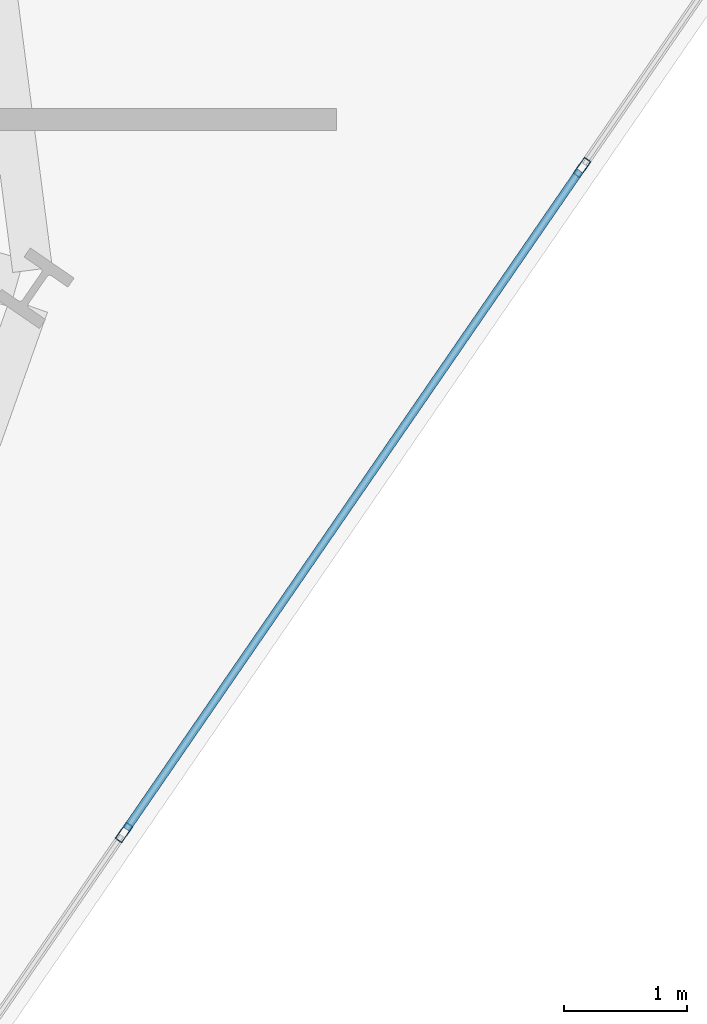
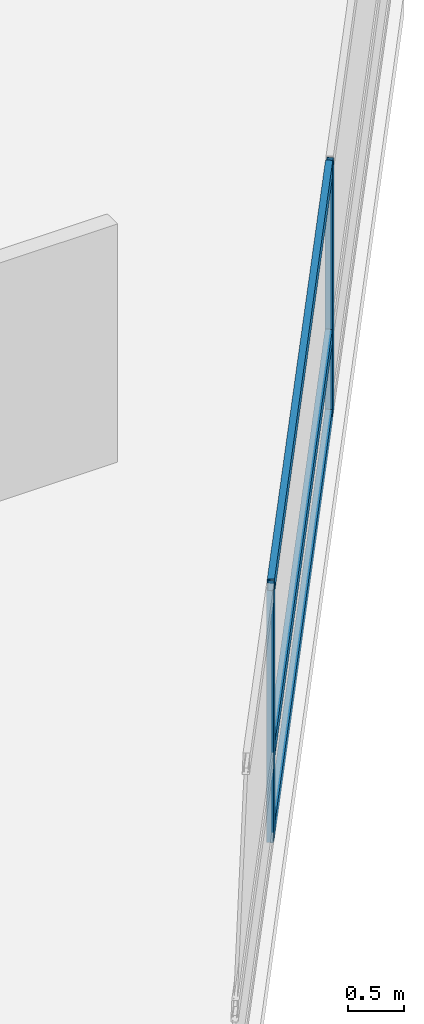
# One storey, part 9 of 25: 5 members, 1 element without a shape of its own.
"""IFC4 building model written with IfcOpenShell, lengths in metres."""

from ifc_helpers import new_model, si_unit, direction, frame, origin, origin_2d, place, context, subcontext, project, spatial, hollow_rectangle, extrude, material, layer, layer_set, material_profile, profile_set, type_object, element, aggregate, save


model = new_model("IFC4")

# Units and contexts
model_context = context("Model", 3, precision=1e-05, world=origin(), true_north=direction((0.0, 1.0)))
body_context = subcontext(model_context, "Body", "Model", "MODEL_VIEW")
ifc_project = project(units=[si_unit("LENGTHUNIT", "METRE"), si_unit("AREAUNIT", "SQUARE_METRE"), si_unit("VOLUMEUNIT", "CUBIC_METRE"), si_unit("PLANEANGLEUNIT", "RADIAN"), si_unit("MASSUNIT", "GRAM", prefix="KILO")], contexts=[model_context])

# Site, building, storey
site_placement = place(None, origin())
site = spatial("IfcSite", under=ifc_project, at=site_placement, CompositionType="ELEMENT")
building_placement = place(site_placement, origin())
building = spatial("IfcBuilding", under=site, at=building_placement, Name="Varnelok Gate Tower", CompositionType="ELEMENT")
storey_placement = place(building_placement, frame((0.0, 0.0, 64.0)))
storey = spatial("IfcBuildingStorey", under=building, at=storey_placement, Name="L15", CompositionType="ELEMENT", Elevation=64.0)

# Curtain wall, members
ifc_material = material(Name="Anodized Aluminum Alloy 6063-T6", Category="aluminium")
ifc_layer = layer(ifc_material, 0.179931640625)
ifc_layer_set = layer_set([ifc_layer], Name="Anodized Aluminum Alloy 6063-T6")
curtain_wall_type = type_object("IfcCurtainWallType", Name="CW3-HOTEL-VISION", PredefinedType="USERDEFINED", material=ifc_layer_set)
curtain_wall_placement = place(storey_placement, origin())
curtain_wall = element("IfcCurtainWall", 1, at=curtain_wall_placement, inside=storey, type_object=curtain_wall_type, Name="L15 East End Vision Curtain Wall", ObjectType="UNITISED CURTAIN WALL", PredefinedType="USERDEFINED")
ifc_material_profile_1 = material_profile(ifc_material, hollow_rectangle(XDim=0.06494140625, YDim=0.159912109375, WallThickness=0.00390625, at=origin_2d()), Name="ALU160X65X4")
ifc_profile_set_1 = profile_set([ifc_material_profile_1], Name="Anodized Aluminum Alloy 6063-T6")
member_type_1 = type_object("IfcMemberType", Name="CW-MULL-160", PredefinedType="MULLION", material=ifc_profile_set_1)
member_1_placement = place(storey_placement, frame((78.8173828125, 13.958251953125, 0.0), z_axis=(0.0, 0.0, 1.0), x_axis=(0.823532685111, -0.567268822124, 0.0)))
member_1 = element("IfcMember", 2, at=member_1_placement, type_object=member_type_1, Name="CW3 mullion 2", PredefinedType="MULLION", context=body_context, shape_type="SweptSolid", body=[
    extrude(hollow_rectangle(XDim=0.06494140625, YDim=0.159912109375, WallThickness=0.00390625, at=origin_2d()), origin(), (0.0, 0.0, 1.0), 2.72998046875),
])
member_2_placement = place(storey_placement, frame((75.09228515625, 8.55029296875, 0.0), z_axis=(0.0, 0.0, 1.0), x_axis=(0.823532685111, -0.567268822124, 0.0)))
member_2 = element("IfcMember", 3, at=member_2_placement, type_object=member_type_1, Name="CW3 mullion 3", PredefinedType="MULLION", context=body_context, shape_type="SweptSolid", body=[
    extrude(hollow_rectangle(XDim=0.06494140625, YDim=0.159912109375, WallThickness=0.00390625, at=origin_2d()), origin(), (0.0, 0.0, 1.0), 2.72998046875),
])
ifc_material_profile_2 = material_profile(ifc_material, hollow_rectangle(XDim=0.06494140625, YDim=0.159912109375, WallThickness=0.00390625, at=origin_2d()), Name="ALU160X65X4")
ifc_profile_set_2 = profile_set([ifc_material_profile_2], Name="Anodized Aluminum Alloy 6063-T6")
member_type_2 = type_object("IfcMemberType", Name="CW-TRAN-160", PredefinedType="USERDEFINED", material=ifc_profile_set_2)
member_3_placement = place(storey_placement, frame((78.798828125, 13.931396484375, 0.032470703125), z_axis=(-0.567279204469, -0.823525533409, 0.0), x_axis=(0.823525533409, -0.567279204469, 0.0)))
member_3 = element("IfcMember", 4, at=member_3_placement, type_object=member_type_2, Name="CW3 transom 2.1", ObjectType="TRANSOM", PredefinedType="USERDEFINED", context=body_context, shape_type="SweptSolid", body=[
    extrude(hollow_rectangle(XDim=0.06494140625, YDim=0.159912109375, WallThickness=0.00390625, at=origin_2d()), origin(), (0.0, 0.0, 1.0), 6.501708984375),
])
member_4_placement = place(storey_placement, frame((78.798828125, 13.931396484375, 0.89990234375), z_axis=(-0.567279204469, -0.823525533409, 0.0), x_axis=(0.823525533409, -0.567279204469, 0.0)))
member_4 = element("IfcMember", 5, at=member_4_placement, type_object=member_type_2, Name="CW3 transom 2.2", ObjectType="TRANSOM", PredefinedType="USERDEFINED", context=body_context, shape_type="SweptSolid", body=[
    extrude(hollow_rectangle(XDim=0.06494140625, YDim=0.159912109375, WallThickness=0.00390625, at=origin_2d()), origin(), (0.0, 0.0, 1.0), 6.501708984375),
])
member_5_placement = place(storey_placement, frame((78.798828125, 13.931396484375, 2.697509765625), z_axis=(-0.567279204469, -0.823525533409, 0.0), x_axis=(0.823525533409, -0.567279204469, 0.0)))
member_5 = element("IfcMember", 6, at=member_5_placement, type_object=member_type_2, Name="CW3 transom 2.3", ObjectType="TRANSOM", PredefinedType="USERDEFINED", context=body_context, shape_type="SweptSolid", body=[
    extrude(hollow_rectangle(XDim=0.06494140625, YDim=0.159912109375, WallThickness=0.00390625, at=origin_2d()), origin(), (0.0, 0.0, 1.0), 6.501708984375),
])
aggregate(curtain_wall, [member_1, member_2, member_3, member_4, member_5])

save(model, "model.ifc")
